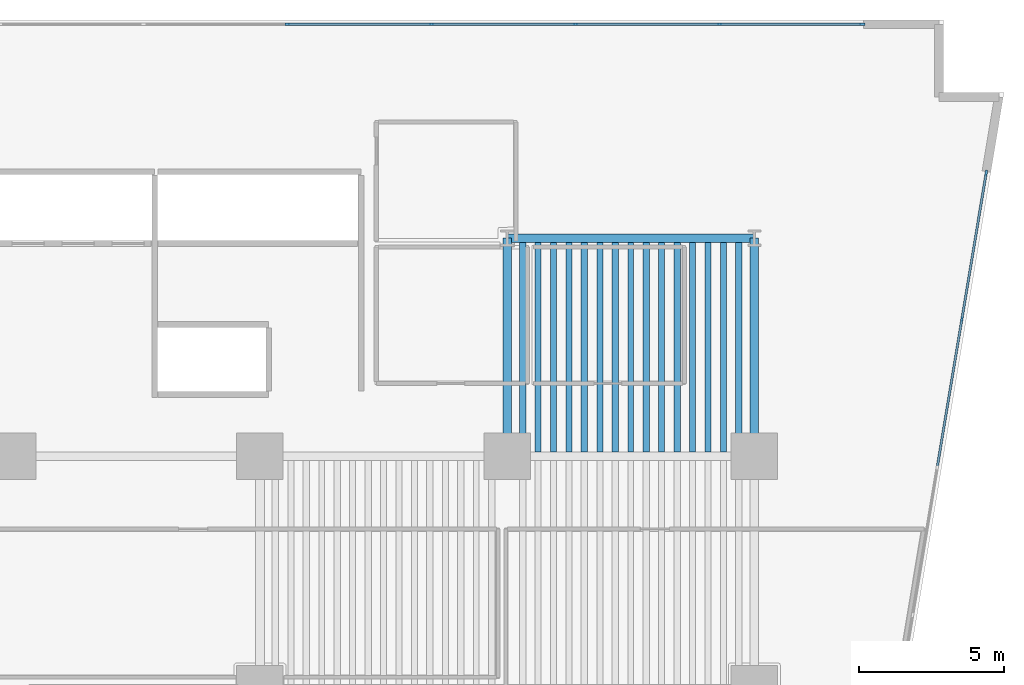
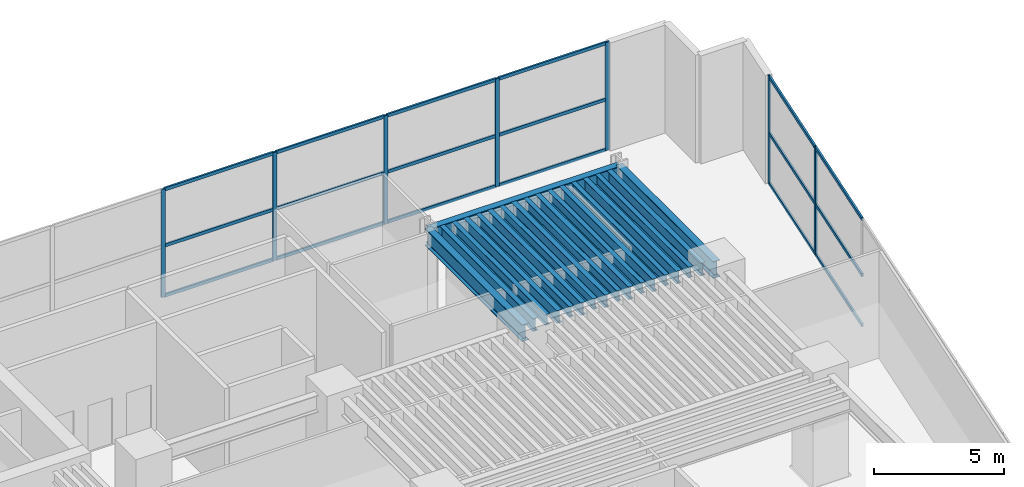
# One storey, part 6 of 16: 25 members, 18 beams, 2 elements without a shape of their own.
"""IFC4 building model written with IfcOpenShell, lengths in metres."""

from ifc_helpers import new_model, si_unit, direction, frame, origin, origin_2d, place, context, subcontext, project, spatial, rectangle, i_section, extrude, material, layer, layer_set, material_profile, profile_set, type_object, element, aggregate, save


model = new_model("IFC4")

# Units and contexts
model_context = context("Model", 3, precision=1e-05, world=origin(), true_north=direction((0.0, 1.0)))
body_context = subcontext(model_context, "Body", "Model", "MODEL_VIEW")
ifc_project = project(units=[si_unit("LENGTHUNIT", "METRE"), si_unit("AREAUNIT", "SQUARE_METRE"), si_unit("VOLUMEUNIT", "CUBIC_METRE"), si_unit("PLANEANGLEUNIT", "RADIAN"), si_unit("MASSUNIT", "GRAM", prefix="KILO")], contexts=[model_context])

# Site, building, storey
site_placement = place(None, origin())
site = spatial("IfcSite", under=ifc_project, at=site_placement, CompositionType="ELEMENT")
building_placement = place(site_placement, origin())
building = spatial("IfcBuilding", under=site, at=building_placement, Name="Caeloran Harvest Quay", CompositionType="ELEMENT")
storey_placement = place(building_placement, frame((0.0, 0.0, 10.800048828125)))
storey = spatial("IfcBuildingStorey", under=building, at=storey_placement, Name="L03", CompositionType="ELEMENT", Elevation=10.800048828125)

# Beams
ifc_material_1 = material(Name="Steel S355J2", Category="steel")
ifc_material_profile_1 = material_profile(ifc_material_1, i_section(OverallWidth=0.300048828125, OverallDepth=0.800048828125, WebThickness=0.017578125, FlangeThickness=0.032958984375, FilletRadius=0.030029296875, at=origin_2d()), Name="HE 800 B")
ifc_profile_set_1 = profile_set([ifc_material_profile_1], Name="Steel S355J2")
beam_type_1 = type_object("IfcBeamType", Name="BM-PG-1-HE_800_B", PredefinedType="BEAM", material=ifc_profile_set_1)
beam_placement = place(storey_placement, frame((42.5, 38.5, 4.679931640625), z_axis=(1.0, 0.0, 0.0), x_axis=(0.0, 1.0, 0.0)))
element("IfcBeam", 1, at=beam_placement, inside=storey, type_object=beam_type_1, Name="L03 Primary East-West Girder Y=38.5", PredefinedType="BEAM", context=body_context, shape_type="SweptSolid", body=[
    extrude(i_section(OverallWidth=0.300048828125, OverallDepth=0.800048828125, WebThickness=0.017578125, FlangeThickness=0.032958984375, FilletRadius=0.030029296875, at=origin_2d()), origin(), (0.0, 0.0, 1.0), 8.5),
])
for number, where, z_axis, x_axis, name in (
    (2, (42.5, 31.0, 4.679931640625), (0.0, 1.0, 0.0), (-1.0, 0.0, 0.0), "L03 Primary North-South Girder X=42.5"),
    (3, (51.0, 31.0, 4.679931640625), (0.0, 1.0, 0.0), (-1.0, 0.0, 0.0), "L03 Primary North-South Girder X=51.0"),
):
    element("IfcBeam", number, at=place(storey_placement, frame(where, z_axis=z_axis, x_axis=x_axis)), inside=storey, type_object=beam_type_1, Name=name, PredefinedType="BEAM", context=body_context, shape_type="SweptSolid", body=[
        extrude(i_section(OverallWidth=0.300048828125, OverallDepth=0.800048828125, WebThickness=0.017578125, FlangeThickness=0.032958984375, FilletRadius=0.030029296875, at=origin_2d()), origin(), (0.0, 0.0, 1.0), 7.5),
    ])
ifc_material_profile_2 = material_profile(ifc_material_1, i_section(OverallWidth=0.219970703125, OverallDepth=0.60009765625, WebThickness=0.011962890625, FlangeThickness=0.01904296875, FilletRadius=0.02392578125, at=origin_2d()), Name="IPE 600")
ifc_profile_set_2 = profile_set([ifc_material_profile_2], Name="Steel S355J2")
beam_type_2 = type_object("IfcBeamType", Name="BM-SB-1-IPE_600", PredefinedType="JOIST", material=ifc_profile_set_2)
for number, where, z_axis, x_axis, name in (
    (4, (43.03125, 31.14501953125, 4.780029296875), (0.0, 1.0, 0.0), (-1.0, 0.0, 0.0), "L03 Secondary Composite Joist"),
    (5, (44.09375, 31.14501953125, 4.780029296875), (0.0, 1.0, 0.0), (-1.0, 0.0, 0.0), "L03 Secondary Composite Joist"),
    (6, (45.15625, 31.14501953125, 4.780029296875), (0.0, 1.0, 0.0), (-1.0, 0.0, 0.0), "L03 Secondary Composite Joist"),
    (7, (46.21875, 31.14501953125, 4.780029296875), (0.0, 1.0, 0.0), (-1.0, 0.0, 0.0), "L03 Secondary Composite Joist"),
    (8, (47.28125, 31.14501953125, 4.780029296875), (0.0, 1.0, 0.0), (-1.0, 0.0, 0.0), "L03 Secondary Composite Joist"),
    (9, (48.34375, 31.14501953125, 4.780029296875), (0.0, 1.0, 0.0), (-1.0, 0.0, 0.0), "L03 Secondary Composite Joist"),
    (10, (49.40625, 31.14501953125, 4.780029296875), (0.0, 1.0, 0.0), (-1.0, 0.0, 0.0), "L03 Secondary Composite Joist"),
    (11, (50.46875, 31.14501953125, 4.780029296875), (0.0, 1.0, 0.0), (-1.0, 0.0, 0.0), "L03 Secondary Composite Joist"),
):
    element("IfcBeam", number, at=place(storey_placement, frame(where, z_axis=z_axis, x_axis=x_axis)), inside=storey, type_object=beam_type_2, Name=name, PredefinedType="JOIST", context=body_context, shape_type="SweptSolid", body=[
        extrude(i_section(OverallWidth=0.219970703125, OverallDepth=0.60009765625, WebThickness=0.011962890625, FlangeThickness=0.01904296875, FilletRadius=0.02392578125, at=origin_2d()), origin(), (0.0, 0.0, 1.0), 7.2099609375),
    ])
ifc_material_profile_3 = material_profile(ifc_material_1, i_section(OverallWidth=0.199951171875, OverallDepth=0.5, WebThickness=0.01025390625, FlangeThickness=0.01611328125, FilletRadius=0.02099609375, at=origin_2d()), Name="IPE 500")
ifc_profile_set_3 = profile_set([ifc_material_profile_3], Name="Steel S355J2")
beam_type_3 = type_object("IfcBeamType", Name="BM-SB-2-IPE_500", PredefinedType="JOIST", material=ifc_profile_set_3)
for number, where, z_axis, x_axis, name in (
    (12, (43.5625, 31.14501953125, 4.829833984375), (0.0, 1.0, 0.0), (-1.0, 0.0, 0.0), "L03 Secondary Composite Joist"),
    (13, (44.625, 31.14501953125, 4.829833984375), (0.0, 1.0, 0.0), (-1.0, 0.0, 0.0), "L03 Secondary Composite Joist"),
    (14, (45.6875, 31.14501953125, 4.829833984375), (0.0, 1.0, 0.0), (-1.0, 0.0, 0.0), "L03 Secondary Composite Joist"),
    (15, (46.75, 31.14501953125, 4.829833984375), (0.0, 1.0, 0.0), (-1.0, 0.0, 0.0), "L03 Secondary Composite Joist"),
    (16, (47.8125, 31.14501953125, 4.829833984375), (0.0, 1.0, 0.0), (-1.0, 0.0, 0.0), "L03 Secondary Composite Joist"),
    (17, (48.875, 31.14501953125, 4.829833984375), (0.0, 1.0, 0.0), (-1.0, 0.0, 0.0), "L03 Secondary Composite Joist"),
    (18, (49.9375, 31.14501953125, 4.829833984375), (0.0, 1.0, 0.0), (-1.0, 0.0, 0.0), "L03 Secondary Composite Joist"),
):
    element("IfcBeam", number, at=place(storey_placement, frame(where, z_axis=z_axis, x_axis=x_axis)), inside=storey, type_object=beam_type_3, Name=name, PredefinedType="JOIST", context=body_context, shape_type="SweptSolid", body=[
        extrude(i_section(OverallWidth=0.199951171875, OverallDepth=0.5, WebThickness=0.01025390625, FlangeThickness=0.01611328125, FilletRadius=0.02099609375, at=origin_2d()), origin(), (0.0, 0.0, 1.0), 7.2099609375),
    ])

# Curtain wall, members
ifc_material_2 = material(Name="Aluminium 6063-T6 and Low-E Glazing", Category="aluminium")
ifc_layer = layer(ifc_material_2, 0.179931640625, Name="Aluminium 6063-T6 and Low-E Glazing")
ifc_layer_set = layer_set([ifc_layer], Name="Aluminium 6063-T6 and Low-E Glazing")
curtain_wall_type = type_object("IfcCurtainWallType", Name="CW-SYS-CW-1", PredefinedType="USERDEFINED", material=ifc_layer_set)
curtain_wall_1_placement = place(storey_placement, origin())
curtain_wall_1 = element("IfcCurtainWall", 19, at=curtain_wall_1_placement, inside=storey, type_object=curtain_wall_type, Name="L03 Unitised Curtain Wall CW-1 Run 6", ObjectType="CURTAIN_WALL", PredefinedType="USERDEFINED")
ifc_material_3 = material(Name="Aluminium 6063-T6", Category="aluminium")
ifc_material_profile_4 = material_profile(ifc_material_3, rectangle(XDim=0.080078125, YDim=0.179931640625, at=origin_2d()), Name="CW-MULLION-180")
ifc_profile_set_4 = profile_set([ifc_material_profile_4], Name="Aluminium 6063-T6")
member_type_1 = type_object("IfcMemberType", Name="CW-MULLION-180", PredefinedType="MULLION", material=ifc_profile_set_4)
member_1_placement = place(storey_placement, frame((34.949951171875, 45.85009765625, 0.0), z_axis=(0.0, 0.0, 1.0), x_axis=(0.0, 1.0, 0.0)))
member_1 = element("IfcMember", 20, at=member_1_placement, type_object=member_type_1, Name="CW-1 mullion 7", PredefinedType="MULLION", context=body_context, shape_type="SweptSolid", body=[
    extrude(rectangle(XDim=0.080078125, YDim=0.179931640625, at=origin_2d()), origin(), (0.0, 0.0, 1.0), 5.079833984375),
])
member_2_placement = place(storey_placement, frame((39.89990234375, 45.85009765625, 0.0), z_axis=(0.0, 0.0, 1.0), x_axis=(0.0, 1.0, 0.0)))
member_2 = element("IfcMember", 21, at=member_2_placement, type_object=member_type_1, Name="CW-1 mullion 8", PredefinedType="MULLION", context=body_context, shape_type="SweptSolid", body=[
    extrude(rectangle(XDim=0.080078125, YDim=0.179931640625, at=origin_2d()), origin(), (0.0, 0.0, 1.0), 5.079833984375),
])
member_3_placement = place(storey_placement, frame((44.85009765625, 45.85009765625, 0.0), z_axis=(0.0, 0.0, 1.0), x_axis=(0.0, 1.0, 0.0)))
member_3 = element("IfcMember", 22, at=member_3_placement, type_object=member_type_1, Name="CW-1 mullion 9", PredefinedType="MULLION", context=body_context, shape_type="SweptSolid", body=[
    extrude(rectangle(XDim=0.080078125, YDim=0.179931640625, at=origin_2d()), origin(), (0.0, 0.0, 1.0), 5.079833984375),
])
member_4_placement = place(storey_placement, frame((49.800048828125, 45.85009765625, 0.0), z_axis=(0.0, 0.0, 1.0), x_axis=(0.0, 1.0, 0.0)))
member_4 = element("IfcMember", 23, at=member_4_placement, type_object=member_type_1, Name="CW-1 mullion 10", PredefinedType="MULLION", context=body_context, shape_type="SweptSolid", body=[
    extrude(rectangle(XDim=0.080078125, YDim=0.179931640625, at=origin_2d()), origin(), (0.0, 0.0, 1.0), 5.079833984375),
])
member_5_placement = place(storey_placement, frame((54.7099609375, 45.85009765625, 0.0), z_axis=(0.0, 0.0, 1.0), x_axis=(0.0, 1.0, 0.0)))
member_5 = element("IfcMember", 24, at=member_5_placement, type_object=member_type_1, Name="CW-1 mullion 11", PredefinedType="MULLION", context=body_context, shape_type="SweptSolid", body=[
    extrude(rectangle(XDim=0.080078125, YDim=0.179931640625, at=origin_2d()), origin(), (0.0, 0.0, 1.0), 5.079833984375),
])

curtain_wall_2_placement = place(storey_placement, origin())
curtain_wall_2 = element("IfcCurtainWall", 25, at=curtain_wall_2_placement, inside=storey, type_object=curtain_wall_type, Name="L03 Unitised Curtain Wall CW-1 Run 9", ObjectType="CURTAIN_WALL", PredefinedType="USERDEFINED")
member_6_placement = place(storey_placement, frame((58.973388671875, 40.745849609375, 0.0), z_axis=(0.0, 0.0, 1.0), x_axis=(0.986431373404, -0.164174131837, 0.0)))
member_6 = element("IfcMember", 26, at=member_6_placement, type_object=member_type_1, Name="CW-1 mullion 1", PredefinedType="MULLION", context=body_context, shape_type="SweptSolid", body=[
    extrude(rectangle(XDim=0.080078125, YDim=0.179931640625, at=origin_2d()), origin(), (0.0, 0.0, 1.0), 5.079833984375),
])
member_7_placement = place(storey_placement, frame((58.13427734375, 35.703857421875, 0.0), z_axis=(0.0, 0.0, 1.0), x_axis=(0.986431373404, -0.164174131837, 0.0)))
member_7 = element("IfcMember", 27, at=member_7_placement, type_object=member_type_1, Name="CW-1 mullion 2", PredefinedType="MULLION", context=body_context, shape_type="SweptSolid", body=[
    extrude(rectangle(XDim=0.080078125, YDim=0.179931640625, at=origin_2d()), origin(), (0.0, 0.0, 1.0), 5.079833984375),
])

# Member
ifc_material_profile_5 = material_profile(ifc_material_3, rectangle(XDim=0.080078125, YDim=0.14990234375, at=origin_2d()), Name="CW-TRANSOM-150")
ifc_profile_set_5 = profile_set([ifc_material_profile_5], Name="Aluminium 6063-T6")
member_type_2 = type_object("IfcMemberType", Name="CW-TRANSOM-150", PredefinedType="USERDEFINED", material=ifc_profile_set_5)
member_8_placement = place(storey_placement, frame((34.989990234375, 45.85009765625, 0.0400390625), z_axis=(1.0, 0.0, 0.0), x_axis=(0.0, 1.0, 0.0)))
member_8 = element("IfcMember", 28, at=member_8_placement, type_object=member_type_2, Name="CW-1 transom 7.1", ObjectType="TRANSOM", PredefinedType="USERDEFINED", context=body_context, shape_type="SweptSolid", body=[
    extrude(rectangle(XDim=0.080078125, YDim=0.14990234375, at=origin_2d()), origin(), (0.0, 0.0, 1.0), 4.8701171875),
])

member_9_placement = place(storey_placement, frame((34.989990234375, 45.85009765625, 2.39990234375), z_axis=(1.0, 0.0, 0.0), x_axis=(0.0, 1.0, 0.0)))
member_9 = element("IfcMember", 29, at=member_9_placement, type_object=member_type_2, Name="CW-1 transom 7.2", ObjectType="TRANSOM", PredefinedType="USERDEFINED", context=body_context, shape_type="SweptSolid", body=[
    extrude(rectangle(XDim=0.080078125, YDim=0.14990234375, at=origin_2d()), origin(), (0.0, 0.0, 1.0), 4.8701171875),
])

member_10_placement = place(storey_placement, frame((34.989990234375, 45.85009765625, 5.0400390625), z_axis=(1.0, 0.0, 0.0), x_axis=(0.0, 1.0, 0.0)))
member_10 = element("IfcMember", 30, at=member_10_placement, type_object=member_type_2, Name="CW-1 transom 7.3", ObjectType="TRANSOM", PredefinedType="USERDEFINED", context=body_context, shape_type="SweptSolid", body=[
    extrude(rectangle(XDim=0.080078125, YDim=0.14990234375, at=origin_2d()), origin(), (0.0, 0.0, 1.0), 4.8701171875),
])

member_11_placement = place(storey_placement, frame((39.93994140625, 45.85009765625, 0.0400390625), z_axis=(1.0, 0.0, 0.0), x_axis=(0.0, 1.0, 0.0)))
member_11 = element("IfcMember", 31, at=member_11_placement, type_object=member_type_2, Name="CW-1 transom 8.1", ObjectType="TRANSOM", PredefinedType="USERDEFINED", context=body_context, shape_type="SweptSolid", body=[
    extrude(rectangle(XDim=0.080078125, YDim=0.14990234375, at=origin_2d()), origin(), (0.0, 0.0, 1.0), 4.8701171875),
])

member_12_placement = place(storey_placement, frame((39.93994140625, 45.85009765625, 2.39990234375), z_axis=(1.0, 0.0, 0.0), x_axis=(0.0, 1.0, 0.0)))
member_12 = element("IfcMember", 32, at=member_12_placement, type_object=member_type_2, Name="CW-1 transom 8.2", ObjectType="TRANSOM", PredefinedType="USERDEFINED", context=body_context, shape_type="SweptSolid", body=[
    extrude(rectangle(XDim=0.080078125, YDim=0.14990234375, at=origin_2d()), origin(), (0.0, 0.0, 1.0), 4.8701171875),
])

member_13_placement = place(storey_placement, frame((39.93994140625, 45.85009765625, 5.0400390625), z_axis=(1.0, 0.0, 0.0), x_axis=(0.0, 1.0, 0.0)))
member_13 = element("IfcMember", 33, at=member_13_placement, type_object=member_type_2, Name="CW-1 transom 8.3", ObjectType="TRANSOM", PredefinedType="USERDEFINED", context=body_context, shape_type="SweptSolid", body=[
    extrude(rectangle(XDim=0.080078125, YDim=0.14990234375, at=origin_2d()), origin(), (0.0, 0.0, 1.0), 4.8701171875),
])

member_14_placement = place(storey_placement, frame((44.889892578125, 45.85009765625, 0.0400390625), z_axis=(1.0, 0.0, 0.0), x_axis=(0.0, 1.0, 0.0)))
member_14 = element("IfcMember", 34, at=member_14_placement, type_object=member_type_2, Name="CW-1 transom 9.1", ObjectType="TRANSOM", PredefinedType="USERDEFINED", context=body_context, shape_type="SweptSolid", body=[
    extrude(rectangle(XDim=0.080078125, YDim=0.14990234375, at=origin_2d()), origin(), (0.0, 0.0, 1.0), 4.8701171875),
])

member_15_placement = place(storey_placement, frame((44.889892578125, 45.85009765625, 2.39990234375), z_axis=(1.0, 0.0, 0.0), x_axis=(0.0, 1.0, 0.0)))
member_15 = element("IfcMember", 35, at=member_15_placement, type_object=member_type_2, Name="CW-1 transom 9.2", ObjectType="TRANSOM", PredefinedType="USERDEFINED", context=body_context, shape_type="SweptSolid", body=[
    extrude(rectangle(XDim=0.080078125, YDim=0.14990234375, at=origin_2d()), origin(), (0.0, 0.0, 1.0), 4.8701171875),
])

member_16_placement = place(storey_placement, frame((44.889892578125, 45.85009765625, 5.0400390625), z_axis=(1.0, 0.0, 0.0), x_axis=(0.0, 1.0, 0.0)))
member_16 = element("IfcMember", 36, at=member_16_placement, type_object=member_type_2, Name="CW-1 transom 9.3", ObjectType="TRANSOM", PredefinedType="USERDEFINED", context=body_context, shape_type="SweptSolid", body=[
    extrude(rectangle(XDim=0.080078125, YDim=0.14990234375, at=origin_2d()), origin(), (0.0, 0.0, 1.0), 4.8701171875),
])

member_17_placement = place(storey_placement, frame((49.840087890625, 45.85009765625, 0.0400390625), z_axis=(1.0, 0.0, 0.0), x_axis=(0.0, 1.0, 0.0)))
member_17 = element("IfcMember", 37, at=member_17_placement, type_object=member_type_2, Name="CW-1 transom 10.1", ObjectType="TRANSOM", PredefinedType="USERDEFINED", context=body_context, shape_type="SweptSolid", body=[
    extrude(rectangle(XDim=0.080078125, YDim=0.14990234375, at=origin_2d()), origin(), (0.0, 0.0, 1.0), 4.829833984375),
])

member_18_placement = place(storey_placement, frame((49.840087890625, 45.85009765625, 2.39990234375), z_axis=(1.0, 0.0, 0.0), x_axis=(0.0, 1.0, 0.0)))
member_18 = element("IfcMember", 38, at=member_18_placement, type_object=member_type_2, Name="CW-1 transom 10.2", ObjectType="TRANSOM", PredefinedType="USERDEFINED", context=body_context, shape_type="SweptSolid", body=[
    extrude(rectangle(XDim=0.080078125, YDim=0.14990234375, at=origin_2d()), origin(), (0.0, 0.0, 1.0), 4.829833984375),
])

member_19_placement = place(storey_placement, frame((49.840087890625, 45.85009765625, 5.0400390625), z_axis=(1.0, 0.0, 0.0), x_axis=(0.0, 1.0, 0.0)))
member_19 = element("IfcMember", 39, at=member_19_placement, type_object=member_type_2, Name="CW-1 transom 10.3", ObjectType="TRANSOM", PredefinedType="USERDEFINED", context=body_context, shape_type="SweptSolid", body=[
    extrude(rectangle(XDim=0.080078125, YDim=0.14990234375, at=origin_2d()), origin(), (0.0, 0.0, 1.0), 4.829833984375),
])

aggregate(curtain_wall_1, [member_1, member_2, member_3, member_4, member_5, member_8, member_9, member_10, member_11, member_12, member_13, member_14, member_15, member_16, member_17, member_18, member_19])

member_20_placement = place(storey_placement, frame((58.966796875, 40.706298828125, 0.0400390625), z_axis=(-0.164155053254, -0.986434548508, 0.0), x_axis=(0.986434548508, -0.164155053254, 0.0)))
member_20 = element("IfcMember", 40, at=member_20_placement, type_object=member_type_2, Name="CW-1 transom 1.1", ObjectType="TRANSOM", PredefinedType="USERDEFINED", context=body_context, shape_type="SweptSolid", body=[
    extrude(rectangle(XDim=0.080078125, YDim=0.14990234375, at=origin_2d()), origin(), (0.0, 0.0, 1.0), 5.031494140625),
])

member_21_placement = place(storey_placement, frame((58.966796875, 40.706298828125, 2.39990234375), z_axis=(-0.164155053254, -0.986434548508, 0.0), x_axis=(0.986434548508, -0.164155053254, 0.0)))
member_21 = element("IfcMember", 41, at=member_21_placement, type_object=member_type_2, Name="CW-1 transom 1.2", ObjectType="TRANSOM", PredefinedType="USERDEFINED", context=body_context, shape_type="SweptSolid", body=[
    extrude(rectangle(XDim=0.080078125, YDim=0.14990234375, at=origin_2d()), origin(), (0.0, 0.0, 1.0), 5.031494140625),
])

member_22_placement = place(storey_placement, frame((58.966796875, 40.706298828125, 5.0400390625), z_axis=(-0.164155053254, -0.986434548508, 0.0), x_axis=(0.986434548508, -0.164155053254, 0.0)))
member_22 = element("IfcMember", 42, at=member_22_placement, type_object=member_type_2, Name="CW-1 transom 1.3", ObjectType="TRANSOM", PredefinedType="USERDEFINED", context=body_context, shape_type="SweptSolid", body=[
    extrude(rectangle(XDim=0.080078125, YDim=0.14990234375, at=origin_2d()), origin(), (0.0, 0.0, 1.0), 5.031494140625),
])

member_23_placement = place(storey_placement, frame((58.127685546875, 35.664306640625, 0.0400390625), z_axis=(-0.164156981893, -0.986434227557, 0.0), x_axis=(0.986434227557, -0.164156981893, 0.0)))
member_23 = element("IfcMember", 43, at=member_23_placement, type_object=member_type_2, Name="CW-1 transom 2.1", ObjectType="TRANSOM", PredefinedType="USERDEFINED", context=body_context, shape_type="SweptSolid", body=[
    extrude(rectangle(XDim=0.080078125, YDim=0.14990234375, at=origin_2d()), origin(), (0.0, 0.0, 1.0), 5.071533203125),
])

member_24_placement = place(storey_placement, frame((58.127685546875, 35.664306640625, 2.39990234375), z_axis=(-0.164156981893, -0.986434227557, 0.0), x_axis=(0.986434227557, -0.164156981893, 0.0)))
member_24 = element("IfcMember", 44, at=member_24_placement, type_object=member_type_2, Name="CW-1 transom 2.2", ObjectType="TRANSOM", PredefinedType="USERDEFINED", context=body_context, shape_type="SweptSolid", body=[
    extrude(rectangle(XDim=0.080078125, YDim=0.14990234375, at=origin_2d()), origin(), (0.0, 0.0, 1.0), 5.071533203125),
])

member_25_placement = place(storey_placement, frame((58.127685546875, 35.664306640625, 5.0400390625), z_axis=(-0.164156981893, -0.986434227557, 0.0), x_axis=(0.986434227557, -0.164156981893, 0.0)))
member_25 = element("IfcMember", 45, at=member_25_placement, type_object=member_type_2, Name="CW-1 transom 2.3", ObjectType="TRANSOM", PredefinedType="USERDEFINED", context=body_context, shape_type="SweptSolid", body=[
    extrude(rectangle(XDim=0.080078125, YDim=0.14990234375, at=origin_2d()), origin(), (0.0, 0.0, 1.0), 5.071533203125),
])

aggregate(curtain_wall_2, [member_6, member_7, member_20, member_21, member_22, member_23, member_24, member_25])

save(model, "model.ifc")
